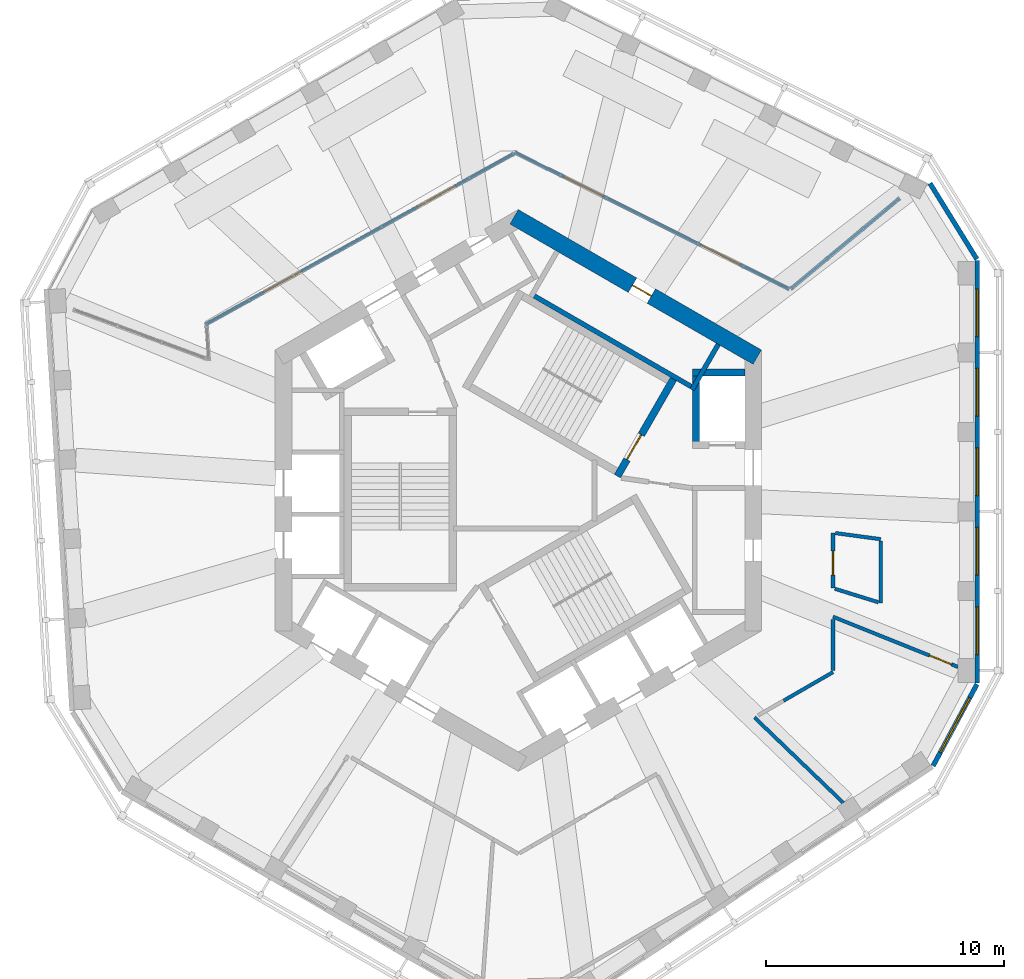
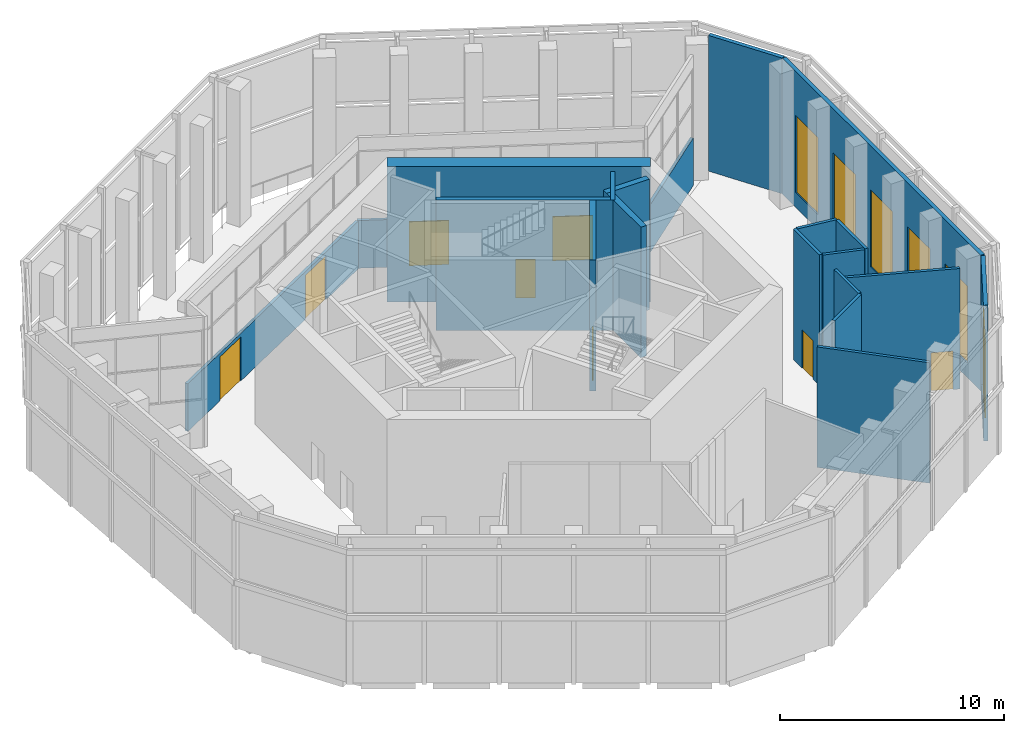
# One storey, part 10 of 16: 20 walls, 8 doors, 6 windows, 14 openings.
"""IFC4 building model written with IfcOpenShell, lengths in metres."""

from ifc_helpers import new_model, si_unit, direction, frame, frame_2d, origin, place, context, subcontext, project, spatial, rectangle, extrude, material, layer, layer_set, type_object, element, fill, save


model = new_model("IFC4")

# Units and contexts
model_context = context("Model", 3, precision=1e-05, world=origin(), true_north=direction((0.0, 1.0)))
body_context = subcontext(model_context, "Body", "Model", "MODEL_VIEW")
ifc_project = project(units=[si_unit("LENGTHUNIT", "METRE"), si_unit("AREAUNIT", "SQUARE_METRE"), si_unit("VOLUMEUNIT", "CUBIC_METRE"), si_unit("PLANEANGLEUNIT", "RADIAN"), si_unit("MASSUNIT", "GRAM", prefix="KILO")], contexts=[model_context])

# Site, building, storey
site_placement = place(None, origin())
site = spatial("IfcSite", under=ifc_project, at=site_placement, CompositionType="ELEMENT")
building_placement = place(site_placement, origin())
building = spatial("IfcBuilding", under=site, at=building_placement, Name="Vanh Sen Convention Tower", CompositionType="ELEMENT")
storey_placement = place(building_placement, frame((0.0, 0.0, 278.300048828125)))
storey = spatial("IfcBuildingStorey", under=building, at=storey_placement, Name="L69", CompositionType="ELEMENT", Elevation=278.300048828125)

# Wall, opening, door
ifc_material_1 = material(Name="Concrete C60/75", Category="concrete")
ifc_layer_1 = layer(ifc_material_1, 0.699951171875)
ifc_layer_set_1 = layer_set([ifc_layer_1], Name="Concrete C60/75")
wall_type_1 = type_object("IfcWallType", Name="Core outer wall 700 C60/75", PredefinedType="SHEAR", material=ifc_layer_set_1)
wall_1_placement = place(storey_placement, frame((10.02490234375, 5.5859375, 0.0), z_axis=(0.0, 0.0, 1.0), x_axis=(-0.866026453023, 0.499998182661, 0.0)))
wall_1 = element("IfcWall", 1, at=wall_1_placement, inside=storey, type_object=wall_type_1, Name="Core wall face NE L69", PredefinedType="SHEAR", context=body_context, shape_type="SweptSolid", body=[
    extrude(rectangle(XDim=11.77783203125, YDim=0.699951171875, at=frame_2d((5.888916015625, 0.0))), origin(), (0.0, 0.0, 1.0), 7.39990234375),
])
opening_1_placement = place(wall_1_placement, frame((5.138916015625, 0.0, 0.0)))
opening_1 = element("IfcOpeningElement", 2, at=opening_1_placement, cuts=wall_1, Name="Opening D69011", PredefinedType="OPENING", context=body_context, shape_type="SweptSolid", body=[
    extrude(rectangle(XDim=0.89990234375, YDim=2.10009765625, at=frame_2d((0.449951171875, 1.050048828125))), frame((0.0, 0.35986328125, 0.0), z_axis=(0.0, -1.0, 0.0), x_axis=(1.0, 0.0, 0.0)), (0.0, 0.0, 1.0), 0.719970703125),
])
ifc_material_2 = material(Name="Steel S355", Category="steel")
door_type_1 = type_object("IfcDoorType", Name="Plant door 900", OperationType="SINGLE_SWING_LEFT", PredefinedType="DOOR", material=ifc_material_2)
door_1_placement = place(opening_1_placement, origin())
door_1 = element("IfcDoor", 3, at=door_1_placement, inside=storey, type_object=door_type_1, Name="Plant door D69011", OperationType="SINGLE_SWING_LEFT", OverallHeight=2.10009765625, OverallWidth=0.89990234375, PredefinedType="DOOR", context=body_context, shape_type="SweptSolid", body=[
    extrude(rectangle(XDim=0.89990234375, YDim=2.10009765625, at=frame_2d((0.449951171875, 1.050048828125))), frame((0.0, 0.02490234375, 0.0), z_axis=(0.0, -1.0, 0.0), x_axis=(1.0, 0.0, 0.0)), (0.0, 0.0, 1.0), 0.050048828125),
])
fill(opening_1, door_1)

# Wall, openings, windows
ifc_material_3 = material(Name="Insulated lightweight infill wall")
ifc_layer_2 = layer(ifc_material_3, 0.199951171875)
ifc_layer_set_2 = layer_set([ifc_layer_2], Name="Insulated lightweight infill wall")
wall_type_2 = type_object("IfcWallType", Name="External wall 200", PredefinedType="STANDARD", material=ifc_layer_set_2)
wall_2_placement = place(storey_placement, frame((19.25, -8.083984375, 0.0), z_axis=(0.0, 0.0, 1.0), x_axis=(0.0, 1.0, 0.0)))
wall_2 = element("IfcWall", 4, at=wall_2_placement, inside=storey, type_object=wall_type_2, Name="External wall E L69", PredefinedType="STANDARD", context=body_context, shape_type="SweptSolid", body=[
    extrude(rectangle(XDim=17.731201171875, YDim=0.199951171875, at=frame_2d((8.86572265625, 0.0))), origin(), (0.0, 0.0, 1.0), 7.39990234375),
])
opening_2_placement = place(wall_2_placement, frame((1.203125, 0.0, 0.800048828125)))
opening_2 = element("IfcOpeningElement", 5, at=opening_2_placement, cuts=wall_2, Name="Opening WS5-E1", PredefinedType="OPENING", context=body_context, shape_type="SweptSolid", body=[
    extrude(rectangle(XDim=2.0, YDim=4.199951171875, at=frame_2d((1.0, 2.10009765625))), frame((0.0, 0.10986328125, 0.0), z_axis=(0.0, -1.0, 0.0), x_axis=(1.0, 0.0, 0.0)), (0.0, 0.0, 1.0), 0.219970703125),
])
opening_3_placement = place(wall_2_placement, frame((4.534912109375, 0.0, 0.800048828125)))
opening_3 = element("IfcOpeningElement", 6, at=opening_3_placement, cuts=wall_2, Name="Opening WS5-E2", PredefinedType="OPENING", context=body_context, shape_type="SweptSolid", body=[
    extrude(rectangle(XDim=2.0, YDim=4.199951171875, at=frame_2d((1.0, 2.10009765625))), frame((0.0, 0.10986328125, 0.0), z_axis=(0.0, -1.0, 0.0), x_axis=(1.0, 0.0, 0.0)), (0.0, 0.0, 1.0), 0.219970703125),
])
opening_4_placement = place(wall_2_placement, frame((7.866455078125, 0.0, 0.800048828125)))
opening_4 = element("IfcOpeningElement", 7, at=opening_4_placement, cuts=wall_2, Name="Opening WS5-E3", PredefinedType="OPENING", context=body_context, shape_type="SweptSolid", body=[
    extrude(rectangle(XDim=2.0, YDim=4.199951171875, at=frame_2d((1.0, 2.10009765625))), frame((0.0, 0.10986328125, 0.0), z_axis=(0.0, -1.0, 0.0), x_axis=(1.0, 0.0, 0.0)), (0.0, 0.0, 1.0), 0.219970703125),
])
opening_5_placement = place(wall_2_placement, frame((11.197998046875, 0.0, 0.800048828125)))
opening_5 = element("IfcOpeningElement", 8, at=opening_5_placement, cuts=wall_2, Name="Opening WS5-E4", PredefinedType="OPENING", context=body_context, shape_type="SweptSolid", body=[
    extrude(rectangle(XDim=2.0, YDim=4.199951171875, at=frame_2d((1.0, 2.10009765625))), frame((0.0, 0.10986328125, 0.0), z_axis=(0.0, -1.0, 0.0), x_axis=(1.0, 0.0, 0.0)), (0.0, 0.0, 1.0), 0.219970703125),
])
opening_6_placement = place(wall_2_placement, frame((14.52978515625, 0.0, 0.800048828125)))
opening_6 = element("IfcOpeningElement", 9, at=opening_6_placement, cuts=wall_2, Name="Opening WS5-E5", PredefinedType="OPENING", context=body_context, shape_type="SweptSolid", body=[
    extrude(rectangle(XDim=2.0, YDim=4.199951171875, at=frame_2d((1.0, 2.10009765625))), frame((0.0, 0.10986328125, 0.0), z_axis=(0.0, -1.0, 0.0), x_axis=(1.0, 0.0, 0.0)), (0.0, 0.0, 1.0), 0.219970703125),
])
ifc_material_4 = material(Name="Aluminium frame with clear low-emissivity glass", Category="aluminium")
window_type_1 = type_object("IfcWindowType", Name="Sky garden window 2000 x 4200", PartitioningType="SINGLE_PANEL", PredefinedType="WINDOW", material=ifc_material_4)
window_1_placement = place(opening_2_placement, origin())
window_1 = element("IfcWindow", 10, at=window_1_placement, inside=storey, type_object=window_type_1, Name="Window WS5-E1", OverallHeight=4.199951171875, OverallWidth=2.0, PartitioningType="SINGLE_PANEL", PredefinedType="WINDOW", context=body_context, shape_type="SweptSolid", body=[
    extrude(rectangle(XDim=2.0, YDim=4.199951171875, at=frame_2d((1.0, 2.10009765625))), frame((0.0, 0.030029296875, 0.0), z_axis=(0.0, -1.0, 0.0), x_axis=(1.0, 0.0, 0.0)), (0.0, 0.0, 1.0), 0.06005859375),
])
fill(opening_2, window_1)
window_2_placement = place(opening_3_placement, origin())
window_2 = element("IfcWindow", 11, at=window_2_placement, inside=storey, type_object=window_type_1, Name="Window WS5-E2", OverallHeight=4.199951171875, OverallWidth=2.0, PartitioningType="SINGLE_PANEL", PredefinedType="WINDOW", context=body_context, shape_type="SweptSolid", body=[
    extrude(rectangle(XDim=2.0, YDim=4.199951171875, at=frame_2d((1.0, 2.10009765625))), frame((0.0, 0.030029296875, 0.0), z_axis=(0.0, -1.0, 0.0), x_axis=(1.0, 0.0, 0.0)), (0.0, 0.0, 1.0), 0.06005859375),
])
fill(opening_3, window_2)
window_3_placement = place(opening_4_placement, origin())
window_3 = element("IfcWindow", 12, at=window_3_placement, inside=storey, type_object=window_type_1, Name="Window WS5-E3", OverallHeight=4.199951171875, OverallWidth=2.0, PartitioningType="SINGLE_PANEL", PredefinedType="WINDOW", context=body_context, shape_type="SweptSolid", body=[
    extrude(rectangle(XDim=2.0, YDim=4.199951171875, at=frame_2d((1.0, 2.10009765625))), frame((0.0, 0.030029296875, 0.0), z_axis=(0.0, -1.0, 0.0), x_axis=(1.0, 0.0, 0.0)), (0.0, 0.0, 1.0), 0.06005859375),
])
fill(opening_4, window_3)
window_4_placement = place(opening_5_placement, origin())
window_4 = element("IfcWindow", 13, at=window_4_placement, inside=storey, type_object=window_type_1, Name="Window WS5-E4", OverallHeight=4.199951171875, OverallWidth=2.0, PartitioningType="SINGLE_PANEL", PredefinedType="WINDOW", context=body_context, shape_type="SweptSolid", body=[
    extrude(rectangle(XDim=2.0, YDim=4.199951171875, at=frame_2d((1.0, 2.10009765625))), frame((0.0, 0.030029296875, 0.0), z_axis=(0.0, -1.0, 0.0), x_axis=(1.0, 0.0, 0.0)), (0.0, 0.0, 1.0), 0.06005859375),
])
fill(opening_5, window_4)
window_5_placement = place(opening_6_placement, origin())
window_5 = element("IfcWindow", 14, at=window_5_placement, inside=storey, type_object=window_type_1, Name="Window WS5-E5", OverallHeight=4.199951171875, OverallWidth=2.0, PartitioningType="SINGLE_PANEL", PredefinedType="WINDOW", context=body_context, shape_type="SweptSolid", body=[
    extrude(rectangle(XDim=2.0, YDim=4.199951171875, at=frame_2d((1.0, 2.10009765625))), frame((0.0, 0.030029296875, 0.0), z_axis=(0.0, -1.0, 0.0), x_axis=(1.0, 0.0, 0.0)), (0.0, 0.0, 1.0), 0.06005859375),
])
fill(opening_6, window_5)

# Wall
wall_3_placement = place(storey_placement, frame((19.235107421875, 9.699951171875, 0.0), z_axis=(0.0, 0.0, 1.0), x_axis=(-0.526204076801, 0.850358318333, 0.0)))
element("IfcWall", 15, at=wall_3_placement, inside=storey, type_object=wall_type_2, Name="External wall CH1-1 L69", PredefinedType="STANDARD", context=body_context, shape_type="SweptSolid", body=[
    extrude(rectangle(XDim=3.740966796875, YDim=0.199951171875, at=frame_2d((1.87060546875, 0.0))), origin(), (0.0, 0.0, 1.0), 7.39990234375),
])

# Wall, opening, window
wall_4_placement = place(storey_placement, frame((17.39892578125, -11.55419921875, 0.0), z_axis=(0.0, 0.0, 1.0), x_axis=(0.473309051311, 0.880896442238, 0.0)))
wall_4 = element("IfcWall", 16, at=wall_4_placement, inside=storey, type_object=wall_type_2, Name="External wall CH6 L69", PredefinedType="STANDARD", context=body_context, shape_type="SweptSolid", body=[
    extrude(rectangle(XDim=3.8857421875, YDim=0.199951171875, at=frame_2d((1.94287109375, 0.0))), origin(), (0.0, 0.0, 1.0), 7.39990234375),
])
opening_7_placement = place(wall_4_placement, frame((0.642822265625, 0.0, 0.800048828125)))
opening_7 = element("IfcOpeningElement", 17, at=opening_7_placement, cuts=wall_4, Name="Opening WS6-CH61", PredefinedType="OPENING", context=body_context, shape_type="SweptSolid", body=[
    extrude(rectangle(XDim=2.60009765625, YDim=4.199951171875, at=frame_2d((1.300048828125, 2.10009765625))), frame((0.0, 0.10986328125, 0.0), z_axis=(0.0, -1.0, 0.0), x_axis=(1.0, 0.0, 0.0)), (0.0, 0.0, 1.0), 0.219970703125),
])
window_type_2 = type_object("IfcWindowType", Name="Sky garden window 2600 x 4200", PartitioningType="SINGLE_PANEL", PredefinedType="WINDOW", material=ifc_material_4)
window_6_placement = place(opening_7_placement, origin())
window_6 = element("IfcWindow", 18, at=window_6_placement, inside=storey, type_object=window_type_2, Name="Window WS6-CH61", OverallHeight=4.199951171875, OverallWidth=2.60009765625, PartitioningType="SINGLE_PANEL", PredefinedType="WINDOW", context=body_context, shape_type="SweptSolid", body=[
    extrude(rectangle(XDim=2.60009765625, YDim=4.199951171875, at=frame_2d((1.300048828125, 2.10009765625))), frame((0.0, 0.030029296875, 0.0), z_axis=(0.0, -1.0, 0.0), x_axis=(1.0, 0.0, 0.0)), (0.0, 0.0, 1.0), 0.06005859375),
])
fill(opening_7, window_6)

# Walls
ifc_layer_3 = layer(ifc_material_1, 0.300048828125)
ifc_layer_set_3 = layer_set([ifc_layer_3], Name="Concrete C60/75")
wall_type_3 = type_object("IfcWallType", Name="Fire-fighting lift shaft wall 300", PredefinedType="SHEAR", material=ifc_layer_set_3)
wall_5_placement = place(storey_placement, frame((7.449951171875, 1.75, 0.0), z_axis=(0.0, 0.0, 1.0), x_axis=(0.0, 1.0, 0.0)))
element("IfcWall", 19, at=wall_5_placement, inside=storey, type_object=wall_type_3, Name="Fire-fighting lift shaft wall L69", PredefinedType="SHEAR", context=body_context, shape_type="SweptSolid", body=[
    extrude(rectangle(XDim=3.35009765625, YDim=0.300048828125, at=frame_2d((1.675048828125, 0.0))), origin(), (0.0, 0.0, 1.0), 7.119873046875),
])
wall_6_placement = place(storey_placement, frame((7.300048828125, 4.949951171875, 0.0), z_axis=(0.0, 0.0, 1.0), x_axis=(1.0, 0.0, 0.0)))
element("IfcWall", 20, at=wall_6_placement, inside=storey, type_object=wall_type_3, Name="Fire-fighting lift shaft wall L69", PredefinedType="SHEAR", context=body_context, shape_type="SweptSolid", body=[
    extrude(rectangle(XDim=2.199951171875, YDim=0.300048828125, at=frame_2d((1.10009765625, 0.0))), origin(), (0.0, 0.0, 1.0), 7.119873046875),
])
ifc_material_5 = material(Name="Concrete C40/50", Category="concrete")
ifc_layer_4 = layer(ifc_material_5, 0.199951171875)
ifc_layer_set_4 = layer_set([ifc_layer_4], Name="Concrete C40/50")
wall_type_4 = type_object("IfcWallType", Name="Lift shaft wall 200", PredefinedType="PARTITIONING", material=ifc_layer_set_4)
wall_7_placement = place(storey_placement, frame((7.423828125, 4.258544921875, 0.0), z_axis=(0.0, 0.0, 1.0), x_axis=(-0.866026010844, 0.49999894854, 0.0)))
element("IfcWall", 21, at=wall_7_placement, inside=storey, type_object=wall_type_4, Name="Lift shaft wall L69", PredefinedType="PARTITIONING", context=body_context, shape_type="SweptSolid", body=[
    extrude(rectangle(XDim=8.0, YDim=0.199951171875, at=frame_2d((4.0, 0.0))), origin(), (0.0, 0.0, 1.0), 7.119873046875),
])
wall_8_placement = place(storey_placement, frame((7.287353515625, 4.221923828125, 0.0), z_axis=(0.0, 0.0, 1.0), x_axis=(0.499946605688, 0.86605622881, 0.0)))
element("IfcWall", 22, at=wall_8_placement, inside=storey, type_object=wall_type_4, Name="Lift shaft wall L69", PredefinedType="PARTITIONING", context=body_context, shape_type="SweptSolid", body=[
    extrude(rectangle(XDim=2.199951171875, YDim=0.199951171875, at=frame_2d((1.10009765625, 0.0))), origin(), (0.0, 0.0, 1.0), 7.119873046875),
])
ifc_material_6 = material(Name="Gypsum board on steel studs", Category="steel")
ifc_layer_5 = layer(ifc_material_6, 0.14990234375)
ifc_layer_set_5 = layer_set([ifc_layer_5], Name="Gypsum board on steel studs")
wall_type_5 = type_object("IfcWallType", Name="Partition 150", PredefinedType="PARTITIONING", material=ifc_layer_set_5)
wall_9_placement = place(storey_placement, frame((13.6328125, -13.10205078125, 0.0), z_axis=(0.0, 0.0, 1.0), x_axis=(-0.721024625755, 0.692909437845, 0.0)))
element("IfcWall", 23, at=wall_9_placement, inside=storey, type_object=wall_type_5, Name="Partition L69-014", PredefinedType="PARTITIONING", context=body_context, shape_type="SweptSolid", body=[
    extrude(rectangle(XDim=5.166748046875, YDim=0.14990234375, at=frame_2d((2.58349609375, 0.0))), origin(), (0.0, 0.0, 1.0), 6.570068359375),
])
wall_10_placement = place(storey_placement, frame((11.12744140625, -8.8173828125, 0.0), z_axis=(0.0, 0.0, 1.0), x_axis=(0.866075162418, 0.499913805613, 0.0)))
element("IfcWall", 24, at=wall_10_placement, inside=storey, type_object=wall_type_5, Name="Partition L69-021", PredefinedType="PARTITIONING", context=body_context, shape_type="SweptSolid", body=[
    extrude(rectangle(XDim=2.39306640625, YDim=0.14990234375, at=frame_2d((1.196533203125, 0.0))), origin(), (0.0, 0.0, 1.0), 7.119873046875),
])
wall_11_placement = place(storey_placement, frame((13.199951171875, -7.56103515625, 0.0), z_axis=(0.0, 0.0, 1.0), x_axis=(0.0, 1.0, 0.0)))
element("IfcWall", 25, at=wall_11_placement, inside=storey, type_object=wall_type_5, Name="Partition L69-022", PredefinedType="PARTITIONING", context=body_context, shape_type="SweptSolid", body=[
    extrude(rectangle(XDim=2.142578125, YDim=0.14990234375, at=frame_2d((1.0712890625, 0.0))), origin(), (0.0, 0.0, 1.0), 7.119873046875),
])

# Wall, opening, door
wall_12_placement = place(storey_placement, frame((13.199951171875, -5.298583984375, 0.0), z_axis=(0.0, 0.0, 1.0), x_axis=(0.928023609597, -0.372521381977, 0.0)))
wall_12 = element("IfcWall", 26, at=wall_12_placement, inside=storey, type_object=wall_type_5, Name="Partition L69-023", PredefinedType="PARTITIONING", context=body_context, shape_type="SweptSolid", body=[
    extrude(rectangle(XDim=5.6572265625, YDim=0.14990234375, at=frame_2d((2.82861328125, 0.0))), origin(), (0.0, 0.0, 1.0), 6.570068359375),
])
opening_8_placement = place(wall_12_placement, frame((4.357421875, 0.0, 0.0)))
opening_8 = element("IfcOpeningElement", 27, at=opening_8_placement, cuts=wall_12, Name="Opening D69103", PredefinedType="OPENING", context=body_context, shape_type="SweptSolid", body=[
    extrude(rectangle(XDim=1.0, YDim=2.10009765625, at=frame_2d((0.5, 1.050048828125))), frame((0.0, 0.0849609375, 0.0), z_axis=(0.0, -1.0, 0.0), x_axis=(1.0, 0.0, 0.0)), (0.0, 0.0, 1.0), 0.169921875),
])
ifc_material_7 = material(Name="Timber door in steel frame", Category="steel")
door_type_2 = type_object("IfcDoorType", Name="Room door 1000", OperationType="SINGLE_SWING_LEFT", PredefinedType="DOOR", material=ifc_material_7)
door_2_placement = place(opening_8_placement, origin())
door_2 = element("IfcDoor", 28, at=door_2_placement, inside=storey, type_object=door_type_2, Name="Room door D69103", OperationType="SINGLE_SWING_LEFT", OverallHeight=2.10009765625, OverallWidth=1.0, PredefinedType="DOOR", context=body_context, shape_type="SweptSolid", body=[
    extrude(rectangle(XDim=1.0, YDim=2.10009765625, at=frame_2d((0.5, 1.050048828125))), frame((0.0, 0.02490234375, 0.0), z_axis=(0.0, -1.0, 0.0), x_axis=(1.0, 0.0, 0.0)), (0.0, 0.0, 1.0), 0.050048828125),
])
fill(opening_8, door_2)

# Wall
wall_13_placement = place(storey_placement, frame((15.1044921875, -4.69140625, 0.0), z_axis=(0.0, 0.0, 1.0), x_axis=(-0.955023043559, 0.296531594054, 0.0)))
element("IfcWall", 29, at=wall_13_placement, inside=storey, type_object=wall_type_5, Name="Partition L69-024", PredefinedType="PARTITIONING", context=body_context, shape_type="SweptSolid", body=[
    extrude(rectangle(XDim=1.914306640625, YDim=0.14990234375, at=frame_2d((0.95703125, 0.0))), origin(), (0.0, 0.0, 1.0), 7.119873046875),
])

# Wall, opening, door
wall_14_placement = place(storey_placement, frame((13.199951171875, -4.10009765625, 0.0), z_axis=(0.0, 0.0, 1.0), x_axis=(0.0, 1.0, 0.0)))
wall_14 = element("IfcWall", 30, at=wall_14_placement, inside=storey, type_object=wall_type_5, Name="Partition L69-025", PredefinedType="PARTITIONING", context=body_context, shape_type="SweptSolid", body=[
    extrude(rectangle(XDim=2.32421875, YDim=0.14990234375, at=frame_2d((1.162109375, 0.0))), origin(), (0.0, 0.0, 1.0), 7.119873046875),
])
opening_9_placement = place(wall_14_placement, frame((0.550048828125, 0.0, 0.0)))
opening_9 = element("IfcOpeningElement", 31, at=opening_9_placement, cuts=wall_14, Name="Opening D69104", PredefinedType="OPENING", context=body_context, shape_type="SweptSolid", body=[
    extrude(rectangle(XDim=1.0, YDim=2.10009765625, at=frame_2d((0.5, 1.050048828125))), frame((0.0, 0.0849609375, 0.0), z_axis=(0.0, -1.0, 0.0), x_axis=(1.0, 0.0, 0.0)), (0.0, 0.0, 1.0), 0.169921875),
])
door_3_placement = place(opening_9_placement, origin())
door_3 = element("IfcDoor", 32, at=door_3_placement, inside=storey, type_object=door_type_2, Name="Room door D69104", OperationType="SINGLE_SWING_LEFT", OverallHeight=2.10009765625, OverallWidth=1.0, PredefinedType="DOOR", context=body_context, shape_type="SweptSolid", body=[
    extrude(rectangle(XDim=1.0, YDim=2.10009765625, at=frame_2d((0.5, 1.050048828125))), frame((0.0, 0.02490234375, 0.0), z_axis=(0.0, -1.0, 0.0), x_axis=(1.0, 0.0, 0.0)), (0.0, 0.0, 1.0), 0.050048828125),
])
fill(opening_9, door_3)

# Walls
wall_15_placement = place(storey_placement, frame((15.199951171875, -2.12548828125, 0.0), z_axis=(0.0, 0.0, 1.0), x_axis=(0.0, -1.0, 0.0)))
element("IfcWall", 33, at=wall_15_placement, inside=storey, type_object=wall_type_5, Name="Partition L69-026", PredefinedType="PARTITIONING", context=body_context, shape_type="SweptSolid", body=[
    extrude(rectangle(XDim=2.595458984375, YDim=0.14990234375, at=frame_2d((1.2978515625, 0.0))), origin(), (0.0, 0.0, 1.0), 7.119873046875),
])
wall_16_placement = place(storey_placement, frame((13.299072265625, -1.789306640625, 0.0), z_axis=(0.0, 0.0, 1.0), x_axis=(0.991045767705, -0.133522606001, 0.0)))
element("IfcWall", 34, at=wall_16_placement, inside=storey, type_object=wall_type_5, Name="Partition L69-027", PredefinedType="PARTITIONING", context=body_context, shape_type="SweptSolid", body=[
    extrude(rectangle(XDim=1.91796875, YDim=0.14990234375, at=frame_2d((0.958984375, 0.0))), origin(), (0.0, 0.0, 1.0), 7.119873046875),
])

# Wall, opening, door
ifc_layer_6 = layer(ifc_material_1, 0.300048828125)
ifc_layer_set_6 = layer_set([ifc_layer_6], Name="Concrete C60/75")
wall_type_6 = type_object("IfcWallType", Name="Stair wall 300", PredefinedType="SHEAR", material=ifc_layer_set_6)
wall_17_placement = place(storey_placement, frame((4.157958984375, 0.601806640625, 0.0), z_axis=(0.0, 0.0, 1.0), x_axis=(0.499977259774, 0.866038532462, 0.0)))
wall_17 = element("IfcWall", 35, at=wall_17_placement, inside=storey, type_object=wall_type_6, Name="Stair wall L69", PredefinedType="SHEAR", context=body_context, shape_type="SweptSolid", body=[
    extrude(rectangle(XDim=4.699951171875, YDim=0.300048828125, at=frame_2d((2.35009765625, 0.0))), origin(), (0.0, 0.0, 1.0), 7.119873046875),
])
opening_10_placement = place(wall_17_placement, frame((0.800048828125, 0.0, 0.0)))
opening_10 = element("IfcOpeningElement", 36, at=opening_10_placement, cuts=wall_17, Name="Opening D69004", PredefinedType="OPENING", context=body_context, shape_type="SweptSolid", body=[
    extrude(rectangle(XDim=1.199951171875, YDim=2.10009765625, at=frame_2d((0.60009765625, 1.050048828125))), frame((0.0, 0.159912109375, 0.0), z_axis=(0.0, -1.0, 0.0), x_axis=(1.0, 0.0, 0.0)), (0.0, 0.0, 1.0), 0.320068359375),
])
door_type_3 = type_object("IfcDoorType", Name="Stair door 1200", OperationType="SINGLE_SWING_RIGHT", PredefinedType="DOOR", material=ifc_material_2)
door_4_placement = place(opening_10_placement, origin())
door_4 = element("IfcDoor", 37, at=door_4_placement, inside=storey, type_object=door_type_3, Name="Stair ST1 door D69004", OperationType="SINGLE_SWING_RIGHT", OverallHeight=2.10009765625, OverallWidth=1.199951171875, PredefinedType="DOOR", context=body_context, shape_type="SweptSolid", body=[
    extrude(rectangle(XDim=1.199951171875, YDim=2.10009765625, at=frame_2d((0.60009765625, 1.050048828125))), frame((0.0, 0.02490234375, 0.0), z_axis=(0.0, -1.0, 0.0), x_axis=(1.0, 0.0, 0.0)), (0.0, 0.0, 1.0), 0.050048828125),
])
fill(opening_10, door_4)

# Wall, openings, doors
ifc_material_8 = material(Name="Aluminium-framed structural glazing with clear glass", Category="aluminium")
ifc_layer_7 = layer(ifc_material_8, 0.14990234375)
ifc_layer_set_7 = layer_set([ifc_layer_7], Name="Aluminium-framed structural glazing with clear glass")
wall_type_7 = type_object("IfcWallType", Name="Winter garden glazed wall 150", PredefinedType="STANDARD", material=ifc_layer_set_7)
wall_18_placement = place(storey_placement, frame((-13.116943359375, 6.95751953125, 0.0), z_axis=(0.0, 0.0, 1.0), x_axis=(0.874660896688, 0.484735304889, 0.0)))
wall_18 = element("IfcWall", 38, at=wall_18_placement, inside=storey, type_object=wall_type_7, Name="Winter garden wall 3 L69", PredefinedType="STANDARD", context=body_context, shape_type="SweptSolid", body=[
    extrude(rectangle(XDim=14.78076171875, YDim=0.14990234375, at=frame_2d((7.390380859375, 0.0))), origin(), (0.0, 0.0, 1.0), 2.599853515625),
])
opening_11_placement = place(wall_18_placement, frame((2.79541015625, 0.0, 0.0)))
opening_11 = element("IfcOpeningElement", 39, at=opening_11_placement, cuts=wall_18, Name="Opening TD691", PredefinedType="OPENING", context=body_context, shape_type="SweptSolid", body=[
    extrude(rectangle(XDim=1.800048828125, YDim=2.39990234375, at=frame_2d((0.89990234375, 1.199951171875))), frame((0.0, 0.0849609375, 0.0), z_axis=(0.0, -1.0, 0.0), x_axis=(1.0, 0.0, 0.0)), (0.0, 0.0, 1.0), 0.169921875),
])
opening_12_placement = place(wall_18_placement, frame((10.185791015625, 0.0, 0.0)))
opening_12 = element("IfcOpeningElement", 40, at=opening_12_placement, cuts=wall_18, Name="Opening TD692", PredefinedType="OPENING", context=body_context, shape_type="SweptSolid", body=[
    extrude(rectangle(XDim=1.800048828125, YDim=2.39990234375, at=frame_2d((0.89990234375, 1.199951171875))), frame((0.0, 0.0849609375, 0.0), z_axis=(0.0, -1.0, 0.0), x_axis=(1.0, 0.0, 0.0)), (0.0, 0.0, 1.0), 0.169921875),
])
ifc_material_9 = material(Name="Aluminium frame with clear toughened glass", Category="aluminium")
door_type_4 = type_object("IfcDoorType", Name="Garden terrace door 1800 x 2400", OperationType="DOUBLE_DOOR_DOUBLE_SWING", PredefinedType="DOOR", material=ifc_material_9)
door_5_placement = place(opening_11_placement, origin())
door_5 = element("IfcDoor", 41, at=door_5_placement, inside=storey, type_object=door_type_4, Name="Garden terrace door TD691", OperationType="DOUBLE_DOOR_DOUBLE_SWING", OverallHeight=2.39990234375, OverallWidth=1.800048828125, PredefinedType="DOOR", context=body_context, shape_type="SweptSolid", body=[
    extrude(rectangle(XDim=1.800048828125, YDim=2.39990234375, at=frame_2d((0.89990234375, 1.199951171875))), frame((0.0, 0.02490234375, 0.0), z_axis=(0.0, -1.0, 0.0), x_axis=(1.0, 0.0, 0.0)), (0.0, 0.0, 1.0), 0.050048828125),
])
fill(opening_11, door_5)
door_6_placement = place(opening_12_placement, origin())
door_6 = element("IfcDoor", 42, at=door_6_placement, inside=storey, type_object=door_type_4, Name="Garden terrace door TD692", OperationType="DOUBLE_DOOR_DOUBLE_SWING", OverallHeight=2.39990234375, OverallWidth=1.800048828125, PredefinedType="DOOR", context=body_context, shape_type="SweptSolid", body=[
    extrude(rectangle(XDim=1.800048828125, YDim=2.39990234375, at=frame_2d((0.89990234375, 1.199951171875))), frame((0.0, 0.02490234375, 0.0), z_axis=(0.0, -1.0, 0.0), x_axis=(1.0, 0.0, 0.0)), (0.0, 0.0, 1.0), 0.050048828125),
])
fill(opening_12, door_6)

wall_19_placement = place(storey_placement, frame((-0.149169921875, 14.181396484375, 0.0), z_axis=(0.0, 0.0, 1.0), x_axis=(0.894939310063, -0.446187887894, 0.0)))
wall_19 = element("IfcWall", 43, at=wall_19_placement, inside=storey, type_object=wall_type_7, Name="Winter garden wall 4 L69", PredefinedType="STANDARD", context=body_context, shape_type="SweptSolid", body=[
    extrude(rectangle(XDim=12.85693359375, YDim=0.14990234375, at=frame_2d((6.428466796875, 0.0))), origin(), (0.0, 0.0, 1.0), 2.599853515625),
])
opening_13_placement = place(wall_19_placement, frame((2.314208984375, 0.0, 0.0)))
opening_13 = element("IfcOpeningElement", 44, at=opening_13_placement, cuts=wall_19, Name="Opening TD693", PredefinedType="OPENING", context=body_context, shape_type="SweptSolid", body=[
    extrude(rectangle(XDim=1.800048828125, YDim=2.39990234375, at=frame_2d((0.89990234375, 1.199951171875))), frame((0.0, 0.0849609375, 0.0), z_axis=(0.0, -1.0, 0.0), x_axis=(1.0, 0.0, 0.0)), (0.0, 0.0, 1.0), 0.169921875),
])
opening_14_placement = place(wall_19_placement, frame((8.74267578125, 0.0, 0.0)))
opening_14 = element("IfcOpeningElement", 45, at=opening_14_placement, cuts=wall_19, Name="Opening TD694", PredefinedType="OPENING", context=body_context, shape_type="SweptSolid", body=[
    extrude(rectangle(XDim=1.800048828125, YDim=2.39990234375, at=frame_2d((0.89990234375, 1.199951171875))), frame((0.0, 0.0849609375, 0.0), z_axis=(0.0, -1.0, 0.0), x_axis=(1.0, 0.0, 0.0)), (0.0, 0.0, 1.0), 0.169921875),
])
door_7_placement = place(opening_13_placement, origin())
door_7 = element("IfcDoor", 46, at=door_7_placement, inside=storey, type_object=door_type_4, Name="Garden terrace door TD693", OperationType="DOUBLE_DOOR_DOUBLE_SWING", OverallHeight=2.39990234375, OverallWidth=1.800048828125, PredefinedType="DOOR", context=body_context, shape_type="SweptSolid", body=[
    extrude(rectangle(XDim=1.800048828125, YDim=2.39990234375, at=frame_2d((0.89990234375, 1.199951171875))), frame((0.0, 0.02490234375, 0.0), z_axis=(0.0, -1.0, 0.0), x_axis=(1.0, 0.0, 0.0)), (0.0, 0.0, 1.0), 0.050048828125),
])
fill(opening_13, door_7)
door_8_placement = place(opening_14_placement, origin())
door_8 = element("IfcDoor", 47, at=door_8_placement, inside=storey, type_object=door_type_4, Name="Garden terrace door TD694", OperationType="DOUBLE_DOOR_DOUBLE_SWING", OverallHeight=2.39990234375, OverallWidth=1.800048828125, PredefinedType="DOOR", context=body_context, shape_type="SweptSolid", body=[
    extrude(rectangle(XDim=1.800048828125, YDim=2.39990234375, at=frame_2d((0.89990234375, 1.199951171875))), frame((0.0, 0.02490234375, 0.0), z_axis=(0.0, -1.0, 0.0), x_axis=(1.0, 0.0, 0.0)), (0.0, 0.0, 1.0), 0.050048828125),
])
fill(opening_14, door_8)

# Wall
wall_20_placement = place(storey_placement, frame((11.430908203125, 8.4541015625, 0.0), z_axis=(0.0, 0.0, 1.0), x_axis=(0.768295513577, 0.640095308386, 0.0)))
element("IfcWall", 48, at=wall_20_placement, inside=storey, type_object=wall_type_7, Name="Winter garden wall 5 L69", PredefinedType="STANDARD", context=body_context, shape_type="SweptSolid", body=[
    extrude(rectangle(XDim=5.93017578125, YDim=0.14990234375, at=frame_2d((2.965087890625, 0.0))), origin(), (0.0, 0.0, 1.0), 2.599853515625),
])

save(model, "model.ifc")
